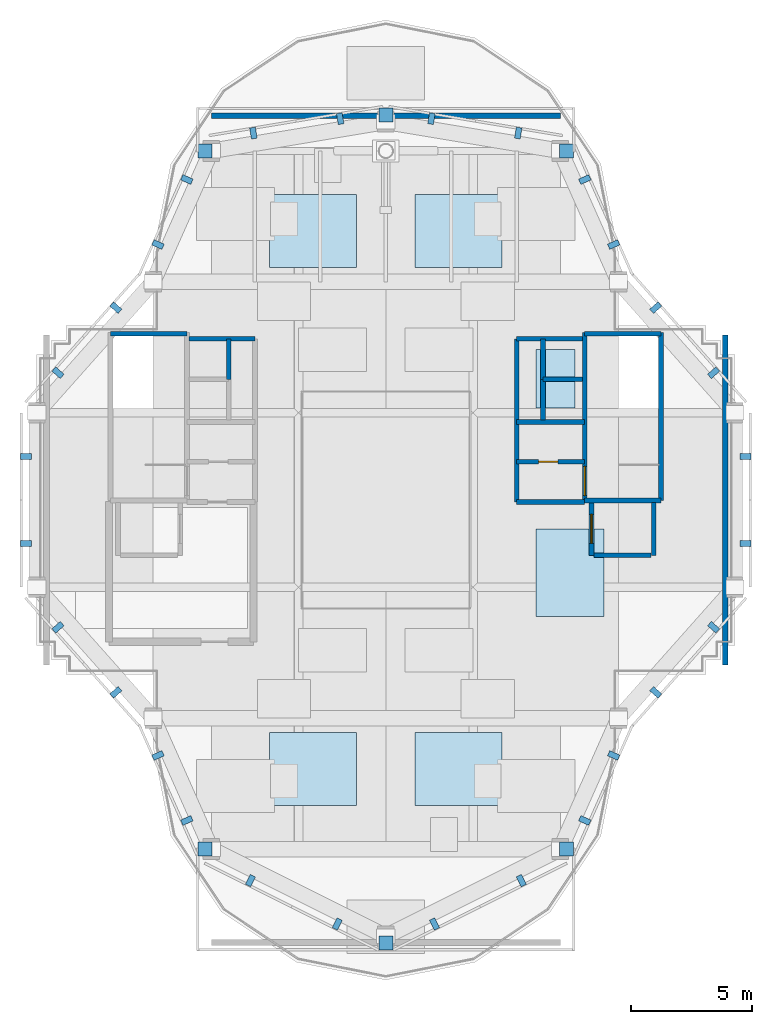
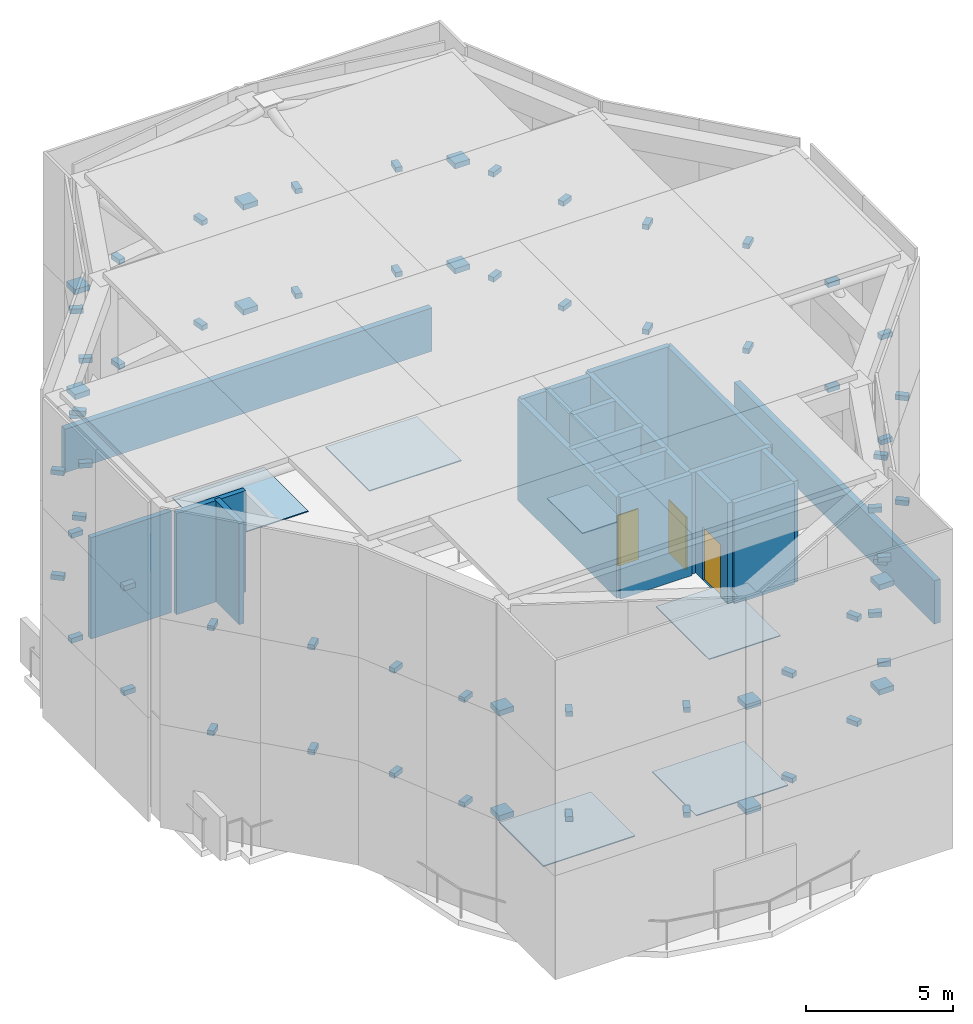
# One storey, part 5 of 8: 68 discrete accessories, 20 walls, 6 roofs, 3 doors, 3 openings.
"""IFC4 building model written with IfcOpenShell, lengths in metres."""

import ifcopenshell
import ifcopenshell.guid

model = None  # the IFC model being written
_history = None  # IfcOwnerHistory: only IFC2X3 demands one
_inside = {}  # id of a spatial element -> (the spatial element, [elements in it])
_under = {}  # id of a project, library or spatial element -> (it, [spatial elements below it])
_declared = {}  # id of a project -> (the project, [libraries it declares])
_typed = {}  # id of a type object -> (the type object, [elements of that type])
_made_of = {}  # id of a material, layer set ... -> (it, [elements and type objects made of it])


def new_model(schema):
    """Start an empty IFC model of exactly this schema.

    Asked for "IFC4X3", IfcOpenShell would pick the latest addendum, in which some entities
    have other attributes; the version numbers below select the first issue.
    IFC2X3 requires an IfcOwnerHistory on every rooted entity: one is made here for all.
    """
    global model, _history
    if schema == "IFC4X3":
        model = ifcopenshell.file(schema_version=(4, 3, 0, 0))
    else:
        model = ifcopenshell.file(schema=schema)
    _inside.clear()
    _under.clear()
    _declared.clear()
    _typed.clear()
    _made_of.clear()
    _history = None
    if model.schema == "IFC2X3":
        org = make("IfcOrganization", Name="unknown")
        user = make(
            "IfcPersonAndOrganization",
            ThePerson=make("IfcPerson", FamilyName="unknown"),
            TheOrganization=org,
        )
        app = make(
            "IfcApplication",
            ApplicationDeveloper=org,
            Version="unknown",
            ApplicationFullName="unknown",
            ApplicationIdentifier="unknown",
        )
        _history = make(
            "IfcOwnerHistory",
            OwningUser=user,
            OwningApplication=app,
            ChangeAction="ADDED",
            CreationDate=0,
        )
    return model


def make(cls, **values):
    """One entity of the class cls with the attributes given. An attribute that is None is left unset."""
    return model.create_entity(
        cls, **{name: value for name, value in values.items() if value is not None}
    )


def rooted(cls, **values):
    """An entity with a GlobalId (a new one), such as an element, a storey or a relation."""
    return make(cls, GlobalId=ifcopenshell.guid.new(), OwnerHistory=_history, **values)


def si_unit(unit_type, name, prefix=None):
    """IfcSIUnit, for example si_unit("LENGTHUNIT", "METRE", prefix="MILLI")."""
    return make("IfcSIUnit", UnitType=unit_type, Prefix=prefix, Name=name)


def assignment(units):
    """IfcUnitAssignment: the units of a project."""
    return None if units is None else make("IfcUnitAssignment", Units=units)


def point(xyz):
    """IfcCartesianPoint."""
    return None if xyz is None else make("IfcCartesianPoint", Coordinates=xyz)


def direction(xyz):
    """IfcDirection."""
    return None if xyz is None else make("IfcDirection", DirectionRatios=xyz)


def frame(location, z_axis=None, x_axis=None):
    """IfcAxis2Placement3D, a coordinate frame: its origin and axes. An axis left out is left unset."""
    return make(
        "IfcAxis2Placement3D",
        Location=point(location),
        Axis=direction(z_axis),
        RefDirection=direction(x_axis),
    )


def frame_2d(location, x_axis=None):
    """IfcAxis2Placement2D, a coordinate frame in the plane: its origin and x axis."""
    return make(
        "IfcAxis2Placement2D", Location=point(location), RefDirection=direction(x_axis)
    )


def origin():
    """The frame at (0, 0, 0) with its axes left unset."""
    return frame((0.0, 0.0, 0.0))


def origin_2d():
    """The frame at (0, 0) in the plane with its x axis left unset."""
    return frame_2d((0.0, 0.0))


def place(relative_to, where):
    """IfcLocalPlacement: puts the frame where relative to a parent placement (None: the world)."""
    return make(
        "IfcLocalPlacement", PlacementRelTo=relative_to, RelativePlacement=where
    )


def context(
    kind, dimensions, precision=None, world=None, true_north=None, identifier=None
):
    """IfcGeometricRepresentationContext, for example the 3D "Model" context."""
    return make(
        "IfcGeometricRepresentationContext",
        ContextIdentifier=identifier,
        ContextType=kind,
        CoordinateSpaceDimension=dimensions,
        Precision=precision,
        WorldCoordinateSystem=world,
        TrueNorth=true_north,
    )


def subcontext(parent, identifier, kind, view, scale=None):
    """IfcGeometricRepresentationSubContext, for example "Body" below "Model"."""
    return make(
        "IfcGeometricRepresentationSubContext",
        ContextIdentifier=identifier,
        ContextType=kind,
        ParentContext=parent,
        TargetScale=scale,
        TargetView=view,
    )


def project(units=None, contexts=None):
    """IfcProject with its units and contexts."""
    return rooted(
        "IfcProject",
        Name="project",
        RepresentationContexts=contexts,
        UnitsInContext=assignment(units),
    )


def spatial(cls, under=None, at=None, **own):
    """A site, building, storey or space (cls), placed at a placement, below another one or the project."""
    s = rooted(cls, ObjectPlacement=at, **own)
    if under is not None:
        _under.setdefault(under.id(), (under, []))[1].append(s)
    return s


def polyline(points):
    """IfcPolyline through the points."""
    return make("IfcPolyline", Points=[point(p) for p in points])


def profile(cls, at=None, kind="AREA", **sizes):
    """A parametric profile (cls). Its sizes go by their IFC names, for example OverallWidth=200.0."""
    return make(cls, ProfileType=kind, Position=at, **sizes)


def rectangle(**sizes):
    """IfcRectangleProfileDef."""
    return profile("IfcRectangleProfileDef", **sizes)


def outline(outer, holes=None, kind="AREA"):
    """IfcArbitraryClosedProfileDef: a profile drawn as a closed curve; with holes, ...WithVoids."""
    if holes is None:
        return make("IfcArbitraryClosedProfileDef", ProfileType=kind, OuterCurve=outer)
    return make(
        "IfcArbitraryProfileDefWithVoids",
        ProfileType=kind,
        OuterCurve=outer,
        InnerCurves=holes,
    )


def extrude(swept, where, along, depth):
    """IfcExtrudedAreaSolid: the profile swept, set in the frame where, extruded along a direction by depth."""
    return make(
        "IfcExtrudedAreaSolid",
        SweptArea=swept,
        Position=where,
        ExtrudedDirection=direction(along),
        Depth=depth,
    )


def shape(context_of_items, identifier, shape_type, items):
    """IfcShapeRepresentation: the items that make up one representation, for example the "Body"."""
    return make(
        "IfcShapeRepresentation",
        ContextOfItems=context_of_items,
        RepresentationIdentifier=identifier,
        RepresentationType=shape_type,
        Items=items,
    )


def source(mapping_origin, context_of_items, identifier, shape_type, items):
    """IfcRepresentationMap: a shape defined once, which mapped items show again and again."""
    return make(
        "IfcRepresentationMap",
        MappingOrigin=mapping_origin,
        MappedRepresentation=shape(context_of_items, identifier, shape_type, items),
    )


def transform(
    local_origin,
    x_axis=None,
    y_axis=None,
    z_axis=None,
    scale=None,
    scale2=None,
    scale3=None,
    uniform=True,
):
    """IfcCartesianTransformationOperator3D, or its non-uniform kind. x_axis, y_axis, z_axis: its Axis1, 2, 3."""
    if uniform:
        return make(
            "IfcCartesianTransformationOperator3D",
            Axis1=direction(x_axis),
            Axis2=direction(y_axis),
            LocalOrigin=point(local_origin),
            Scale=scale,
            Axis3=direction(z_axis),
        )
    return make(
        "IfcCartesianTransformationOperator3DnonUniform",
        Axis1=direction(x_axis),
        Axis2=direction(y_axis),
        LocalOrigin=point(local_origin),
        Scale=scale,
        Axis3=direction(z_axis),
        Scale2=scale2,
        Scale3=scale3,
    )


def mapped(mapping_source, mapping_target):
    """IfcMappedItem: shows the shape of a source again, moved by a transform."""
    return make(
        "IfcMappedItem", MappingSource=mapping_source, MappingTarget=mapping_target
    )


def material(Name=None, Category=None):
    """IfcMaterial."""
    return make("IfcMaterial", Name=Name, Category=Category)


def layer(
    of_material, thickness, ventilated=None, Name=None, Category=None, Priority=None
):
    """IfcMaterialLayer: one layer of a wall or slab, of a material (None: an air gap)."""
    return make(
        "IfcMaterialLayer",
        Material=of_material,
        LayerThickness=thickness,
        IsVentilated=ventilated,
        Name=Name,
        Category=Category,
        Priority=Priority,
    )


def layer_set(layers, Name=None):
    """IfcMaterialLayerSet."""
    return make("IfcMaterialLayerSet", MaterialLayers=layers, LayerSetName=Name)


def made_of(thing, what):
    """Note that an element or type object is made of a material, layer set ...; save() writes the relation."""
    if what is not None:
        _made_of.setdefault(what.id(), (what, []))[1].append(thing)
    return thing


def type_object(cls, material=None, **own):
    """A type object (cls), such as IfcWallType, which elements share."""
    return made_of(rooted(cls, **own), material)


def element(
    cls,
    number,
    at=None,
    inside=None,
    cuts=None,
    type_object=None,
    material=None,
    context=None,
    identifier="Body",
    shape_type=None,
    held_by="IfcProductDefinitionShape",
    body=None,
    shapes=None,
    **own,
):
    """One element of the class cls, such as IfcWall. Its Tag is "e" and its number.

    at: its placement. inside: the storey or other place that contains it. cuts: it is an
    opening in that element (IfcRelVoidsElement). A single representation is given by context,
    identifier, shape_type and body (its items); several are given by shapes. held_by: the class
    of the entity that holds the representations. save() writes the other relations.
    """
    e = rooted(cls, Tag="e%d" % number, ObjectPlacement=at, **own)
    if body is not None:
        shapes = [shape(context, identifier, shape_type, body)]
    if shapes is not None:
        e.Representation = make(held_by, Representations=shapes)
    if inside is not None:
        _inside.setdefault(inside.id(), (inside, []))[1].append(e)
    if cuts is not None:
        rooted(
            "IfcRelVoidsElement", RelatingBuildingElement=cuts, RelatedOpeningElement=e
        )
    if type_object is not None:
        _typed.setdefault(type_object.id(), (type_object, []))[1].append(e)
    return made_of(e, material)


def fill(opening, filler):
    """IfcRelFillsElement: the door or window that sits in an opening."""
    return rooted(
        "IfcRelFillsElement",
        RelatingOpeningElement=opening,
        RelatedBuildingElement=filler,
    )


def aggregate(whole, parts):
    """IfcRelAggregates: a whole, such as a stair, and the parts it consists of."""
    return rooted("IfcRelAggregates", RelatingObject=whole, RelatedObjects=parts)


def save(model, path):
    """Write the relations noted so far, then the file.

    IfcRelAggregates (storeys below a building ...), IfcRelContainedInSpatialStructure (elements
    in a storey), IfcRelDefinesByType, IfcRelAssociatesMaterial and IfcRelDeclares: one each for
    every whole, place, type object, material and project.
    """
    for whole, parts in _under.values():
        aggregate(whole, parts)
    for where, things in _inside.values():
        rooted(
            "IfcRelContainedInSpatialStructure",
            RelatedElements=things,
            RelatingStructure=where,
        )
    for kind, things in _typed.values():
        rooted("IfcRelDefinesByType", RelatedObjects=things, RelatingType=kind)
    for what, things in _made_of.values():
        rooted("IfcRelAssociatesMaterial", RelatedObjects=things, RelatingMaterial=what)
    for by, libraries in _declared.values():
        rooted("IfcRelDeclares", RelatingContext=by, RelatedDefinitions=libraries)
    model.write(path)


model = new_model("IFC4")

# Units and contexts
model_context = context("Model", 3, precision=1e-05, world=origin(), true_north=direction((0.0, 1.0)))
body_context = subcontext(model_context, "Body", "Model", "MODEL_VIEW")
ifc_project = project(units=[si_unit("LENGTHUNIT", "METRE"), si_unit("AREAUNIT", "SQUARE_METRE"), si_unit("VOLUMEUNIT", "CUBIC_METRE"), si_unit("PLANEANGLEUNIT", "RADIAN"), si_unit("MASSUNIT", "GRAM", prefix="KILO")], contexts=[model_context])

# Site, building, storey
site_placement = place(None, origin())
site = spatial("IfcSite", under=ifc_project, at=site_placement, CompositionType="ELEMENT")
building_placement = place(site_placement, origin())
building = spatial("IfcBuilding", under=site, at=building_placement, Name="Keilestroom Media Tower", CompositionType="ELEMENT")
storey_placement = place(building_placement, frame((0.0, 0.0, 271.60009765625)))
storey = spatial("IfcBuildingStorey", under=building, at=storey_placement, Name="Roof", CompositionType="ELEMENT", Elevation=271.60009765625)

# Walls
ifc_material_1 = material(Name="Concrete C50/60", Category="concrete")
ifc_layer_1 = layer(ifc_material_1, 0.199951171875)
ifc_layer_set_1 = layer_set([ifc_layer_1], Name="Concrete C50/60")
wall_type_1 = type_object("IfcWallType", Name="Reinforced-Concrete-Shaft-Wall-200", PredefinedType="SOLIDWALL", material=ifc_layer_set_1)
wall_1_placement = place(storey_placement, frame((-11.35595703125, 6.85595703125, 0.0), z_axis=(0.0, 0.0, 1.0), x_axis=(1.0, 0.0, 0.0)))
element("IfcWall", 1, at=wall_1_placement, inside=storey, type_object=wall_type_1, Name="Roof Core Shear Wall WL-Roof-STW-W-N", PredefinedType="SOLIDWALL", context=body_context, shape_type="SweptSolid", body=[
    extrude(rectangle(XDim=3.15185546875, YDim=0.199951171875, at=frame_2d((1.575927734375, 0.0))), origin(), (0.0, 0.0, 1.0), 4.199951171875),
])
wall_2_placement = place(storey_placement, frame((5.39990234375, -0.080078125, 0.0), z_axis=(0.0, 0.0, 1.0), x_axis=(0.0, 1.0, 0.0)))
element("IfcWall", 2, at=wall_2_placement, inside=storey, type_object=wall_type_1, Name="Roof Core Shear Wall WL-Roof-LMR-E-IN", PredefinedType="SOLIDWALL", context=body_context, shape_type="SweptSolid", body=[
    extrude(rectangle(XDim=6.72998046875, YDim=0.199951171875, at=frame_2d((3.364990234375, 0.0))), origin(), (0.0, 0.0, 1.0), 4.199951171875),
])
wall_3_placement = place(storey_placement, frame((5.39990234375, -0.080078125, 0.0), z_axis=(0.0, 0.0, 1.0), x_axis=(1.0, 0.0, 0.0)))
element("IfcWall", 3, at=wall_3_placement, inside=storey, type_object=wall_type_1, Name="Roof Core Shear Wall WL-Roof-LMR-E-S", PredefinedType="SOLIDWALL", context=body_context, shape_type="SweptSolid", body=[
    extrude(rectangle(XDim=2.80419921875, YDim=0.199951171875, at=frame_2d((1.402099609375, 0.0))), origin(), (0.0, 0.0, 1.0), 4.199951171875),
])

# Wall, opening, door
wall_4_placement = place(storey_placement, frame((5.39990234375, 1.580078125, 0.0), z_axis=(0.0, 0.0, 1.0), x_axis=(1.0, 0.0, 0.0)))
wall_4 = element("IfcWall", 4, at=wall_4_placement, inside=storey, type_object=wall_type_1, Name="Roof Interior Wall WL-Roof-LMR-E-M", PredefinedType="SOLIDWALL", context=body_context, shape_type="SweptSolid", body=[
    extrude(rectangle(XDim=2.80419921875, YDim=0.199951171875, at=frame_2d((1.402099609375, 0.0))), origin(), (0.0, 0.0, 1.0), 4.199951171875),
])
opening_1_placement = place(wall_4_placement, frame((0.89990234375, 0.0, 0.0)))
opening_1 = element("IfcOpeningElement", 5, at=opening_1_placement, cuts=wall_4, Name="Opening DI-06", PredefinedType="OPENING", context=body_context, shape_type="SweptSolid", body=[
    extrude(rectangle(XDim=0.800048828125, YDim=2.10009765625, at=frame_2d((0.39990234375, 1.050048828125))), frame((0.0, 0.10986328125, 0.0), z_axis=(0.0, -1.0, 0.0), x_axis=(1.0, 0.0, 0.0)), (0.0, 0.0, 1.0), 0.219970703125),
])
ifc_material_2 = material(Name="Powder-Coated Steel Service Leaf", Category="steel")
door_type_1 = type_object("IfcDoorType", Name="Interior-Riser-Access-Door-DI-06", OperationType="NOTDEFINED", PredefinedType="DOOR", material=ifc_material_2)
shared_shape_1 = source(origin(), body_context, "Body", "SweptSolid", [
    extrude(rectangle(XDim=0.800048828125, YDim=2.10009765625, at=frame_2d((0.39990234375, 1.050048828125))), frame((0.0, 0.02490234375, 0.0), z_axis=(0.0, -1.0, 0.0), x_axis=(1.0, 0.0, 0.0)), (0.0, 0.0, 1.0), 0.050048828125),
])
door_1_placement = place(opening_1_placement, origin())
door_1 = element("IfcDoor", 6, at=door_1_placement, inside=storey, type_object=door_type_1, Name="Roof East Lift Machine Room Door", OperationType="SINGLE_SWING_RIGHT", OverallHeight=2.10009765625, OverallWidth=0.800048828125, PredefinedType="DOOR", context=body_context, shape_type="MappedRepresentation", body=[
    mapped(shared_shape_1, transform((0.0, 0.0, 0.0), x_axis=(1.0, 0.0, 0.0), y_axis=(0.0, 1.0, 0.0), z_axis=(0.0, 0.0, 1.0), scale=1.0)),
])
fill(opening_1, door_1)

# Wall
wall_5_placement = place(storey_placement, frame((5.39990234375, 3.219970703125, 0.0), z_axis=(0.0, 0.0, 1.0), x_axis=(1.0, 0.0, 0.0)))
element("IfcWall", 7, at=wall_5_placement, inside=storey, type_object=wall_type_1, Name="Roof Core Shear Wall WL-Roof-LMR-E-N", PredefinedType="SOLIDWALL", context=body_context, shape_type="SweptSolid", body=[
    extrude(rectangle(XDim=2.80419921875, YDim=0.199951171875, at=frame_2d((1.402099609375, 0.0))), origin(), (0.0, 0.0, 1.0), 4.199951171875),
])

# Wall, opening, door
wall_6_placement = place(storey_placement, frame((8.2041015625, -0.01611328125, 0.0), z_axis=(0.0, 0.0, 1.0), x_axis=(0.0, 1.0, 0.0)))
wall_6 = element("IfcWall", 8, at=wall_6_placement, inside=storey, type_object=wall_type_1, Name="Roof Core Shear Wall WL-Roof-STW-E-NEAR", PredefinedType="SOLIDWALL", context=body_context, shape_type="SweptSolid", body=[
    extrude(rectangle(XDim=6.916015625, YDim=0.199951171875, at=frame_2d((3.4580078125, 0.0))), origin(), (0.0, 0.0, 1.0), 4.199951171875),
])
opening_2_placement = place(wall_6_placement, frame((0.199951171875, 0.0, 0.0)))
opening_2 = element("IfcOpeningElement", 9, at=opening_2_placement, cuts=wall_6, Name="Opening DI-01S", PredefinedType="OPENING", context=body_context, shape_type="SweptSolid", body=[
    extrude(rectangle(XDim=1.199951171875, YDim=2.199951171875, at=frame_2d((0.60009765625, 1.10009765625))), frame((0.0, 0.10986328125, 0.0), z_axis=(0.0, -1.0, 0.0), x_axis=(1.0, 0.0, 0.0)), (0.0, 0.0, 1.0), 0.219970703125),
])
ifc_material_3 = material(Name="Powder-Coated Steel Fire Leaf", Category="steel")
door_type_2 = type_object("IfcDoorType", Name="Interior-Stair-And-Core-Fire-Door-DI-01", OperationType="NOTDEFINED", PredefinedType="DOOR", material=ifc_material_3)
shared_shape_2 = source(origin(), body_context, "Body", "SweptSolid", [
    extrude(rectangle(XDim=1.199951171875, YDim=2.199951171875, at=frame_2d((0.60009765625, 1.10009765625))), frame((0.0, 0.02490234375, 0.0), z_axis=(0.0, -1.0, 0.0), x_axis=(1.0, 0.0, 0.0)), (0.0, 0.0, 1.0), 0.050048828125),
])
door_2_placement = place(opening_2_placement, origin())
door_2 = element("IfcDoor", 10, at=door_2_placement, inside=storey, type_object=door_type_2, Name="Roof Escape Stair ST-2 Fire Door", OperationType="SINGLE_SWING_RIGHT", OverallHeight=2.199951171875, OverallWidth=1.199951171875, PredefinedType="DOOR", context=body_context, shape_type="MappedRepresentation", body=[
    mapped(shared_shape_2, transform((0.0, 0.0, 0.0), x_axis=(1.0, 0.0, 0.0), y_axis=(0.0, 1.0, 0.0), z_axis=(0.0, 0.0, 1.0), scale=1.0)),
])
fill(opening_2, door_2)

# Walls
wall_7_placement = place(storey_placement, frame((11.35595703125, -0.01611328125, 0.0), z_axis=(0.0, 0.0, 1.0), x_axis=(0.0, 1.0, 0.0)))
element("IfcWall", 11, at=wall_7_placement, inside=storey, type_object=wall_type_1, Name="Roof Core Shear Wall WL-Roof-STW-E-FAR", PredefinedType="SOLIDWALL", context=body_context, shape_type="SweptSolid", body=[
    extrude(rectangle(XDim=6.916015625, YDim=0.199951171875, at=frame_2d((3.4580078125, 0.0))), origin(), (0.0, 0.0, 1.0), 4.199951171875),
])
for number, where, z_axis, x_axis, name in (
    (12, (8.2041015625, -0.01611328125, 0.0), (0.0, 0.0, 1.0), (1.0, 0.0, 0.0), "Roof Core Shear Wall WL-Roof-STW-E-S"),
    (13, (8.2041015625, 6.85595703125, 0.0), (0.0, 0.0, 1.0), (1.0, 0.0, 0.0), "Roof Core Shear Wall WL-Roof-STW-E-N"),
):
    element("IfcWall", number, at=place(storey_placement, frame(where, z_axis=z_axis, x_axis=x_axis)), inside=storey, type_object=wall_type_1, Name=name, PredefinedType="SOLIDWALL", context=body_context, shape_type="SweptSolid", body=[
        extrude(rectangle(XDim=3.15185546875, YDim=0.199951171875, at=frame_2d((1.575927734375, 0.0))), origin(), (0.0, 0.0, 1.0), 4.199951171875),
    ])

# Wall, opening, door
wall_8_placement = place(storey_placement, frame((8.47998046875, -2.280029296875, 0.0), z_axis=(0.0, 0.0, 1.0), x_axis=(0.0, 1.0, 0.0)))
wall_8 = element("IfcWall", 14, at=wall_8_placement, inside=storey, type_object=wall_type_1, Name="Roof Core Shear Wall WL-Roof-LSH-FFL-2-W", PredefinedType="SOLIDWALL", context=body_context, shape_type="SweptSolid", body=[
    extrude(rectangle(XDim=2.179931640625, YDim=0.199951171875, at=frame_2d((1.08984375, 0.0))), origin(), (0.0, 0.0, 1.0), 4.199951171875),
])
opening_3_placement = place(wall_8_placement, frame((0.489990234375, 0.0, 0.0)))
opening_3 = element("IfcOpeningElement", 15, at=opening_3_placement, cuts=wall_8, Name="Opening LD-02", PredefinedType="OPENING", context=body_context, shape_type="SweptSolid", body=[
    extrude(rectangle(XDim=1.199951171875, YDim=2.199951171875, at=frame_2d((0.60009765625, 1.10009765625))), frame((0.0, 0.10986328125, 0.0), z_axis=(0.0, -1.0, 0.0), x_axis=(1.0, 0.0, 0.0)), (0.0, 0.0, 1.0), 0.219970703125),
])
ifc_material_4 = material(Name="Brushed Stainless Steel Sliding Leaf", Category="steel")
door_type_3 = type_object("IfcDoorType", Name="Lift-Landing-Sliding-Door-LD-02", OperationType="SLIDING_TO_RIGHT", PredefinedType="DOOR", material=ifc_material_4)
door_3_placement = place(opening_3_placement, origin())
door_3 = element("IfcDoor", 16, at=door_3_placement, inside=storey, type_object=door_type_3, Name="Roof Lift FFL-2 Landing Sliding Door", OperationType="SLIDING_TO_RIGHT", OverallHeight=2.199951171875, OverallWidth=1.199951171875, PredefinedType="DOOR", context=body_context, shape_type="MappedRepresentation", body=[
    mapped(shared_shape_2, transform((0.0, 0.0, 0.0), x_axis=(1.0, 0.0, 0.0), y_axis=(0.0, 1.0, 0.0), z_axis=(0.0, 0.0, 1.0), scale=1.0)),
])
fill(opening_3, door_3)

# Walls
wall_9_placement = place(storey_placement, frame((11.050048828125, -2.280029296875, 0.0), z_axis=(0.0, 0.0, 1.0), x_axis=(0.0, 1.0, 0.0)))
element("IfcWall", 17, at=wall_9_placement, inside=storey, type_object=wall_type_1, Name="Roof Core Shear Wall WL-Roof-LSH-FFL-2-E", PredefinedType="SOLIDWALL", context=body_context, shape_type="SweptSolid", body=[
    extrude(rectangle(XDim=2.179931640625, YDim=0.199951171875, at=frame_2d((1.08984375, 0.0))), origin(), (0.0, 0.0, 1.0), 4.199951171875),
])
wall_10_placement = place(storey_placement, frame((8.583984375, -2.280029296875, 0.0), z_axis=(0.0, 0.0, 1.0), x_axis=(1.0, 0.0, 0.0)))
element("IfcWall", 18, at=wall_10_placement, inside=storey, type_object=wall_type_1, Name="Roof Core Shear Wall WL-Roof-LSH-FFL-2-S", PredefinedType="SOLIDWALL", context=body_context, shape_type="SweptSolid", body=[
    extrude(rectangle(XDim=2.362060546875, YDim=0.199951171875, at=frame_2d((1.18115234375, 0.0))), origin(), (0.0, 0.0, 1.0), 4.199951171875),
])
wall_11_placement = place(storey_placement, frame((-6.47998046875, 4.97998046875, 0.0), z_axis=(0.0, 0.0, 1.0), x_axis=(0.0, 1.0, 0.0)))
element("IfcWall", 19, at=wall_11_placement, inside=storey, type_object=wall_type_1, Name="Roof Core Shear Wall WL-Roof-LSH-PL-H2-E", PredefinedType="SOLIDWALL", context=body_context, shape_type="SweptSolid", body=[
    extrude(rectangle(XDim=1.669921875, YDim=0.199951171875, at=frame_2d((0.8349609375, 0.0))), origin(), (0.0, 0.0, 1.0), 4.199951171875),
])
wall_12_placement = place(storey_placement, frame((-8.1201171875, 6.64990234375, 0.0), z_axis=(0.0, 0.0, 1.0), x_axis=(1.0, 0.0, 0.0)))
element("IfcWall", 20, at=wall_12_placement, inside=storey, type_object=wall_type_1, Name="Roof Core Shear Wall WL-Roof-LSH-PL-H2-N", PredefinedType="SOLIDWALL", context=body_context, shape_type="SweptSolid", body=[
    extrude(rectangle(XDim=2.72021484375, YDim=0.199951171875, at=frame_2d((1.360107421875, 0.0))), origin(), (0.0, 0.0, 1.0), 4.199951171875),
])
wall_13_placement = place(storey_placement, frame((6.47998046875, 3.300048828125, 0.0), z_axis=(0.0, 0.0, 1.0), x_axis=(0.0, 1.0, 0.0)))
element("IfcWall", 21, at=wall_13_placement, inside=storey, type_object=wall_type_1, Name="Roof Core Shear Wall WL-Roof-LSH-PL-H3-W", PredefinedType="SOLIDWALL", context=body_context, shape_type="SweptSolid", body=[
    extrude(rectangle(XDim=1.679931640625, YDim=0.199951171875, at=frame_2d((0.83984375, 0.0))), origin(), (0.0, 0.0, 1.0), 4.199951171875),
])
wall_14_placement = place(storey_placement, frame((6.47998046875, 4.97998046875, 0.0), z_axis=(0.0, 0.0, 1.0), x_axis=(1.0, 0.0, 0.0)))
element("IfcWall", 22, at=wall_14_placement, inside=storey, type_object=wall_type_1, Name="Roof Core Shear Wall WL-Roof-LSH-PL-H3-N", PredefinedType="SOLIDWALL", context=body_context, shape_type="SweptSolid", body=[
    extrude(rectangle(XDim=1.64013671875, YDim=0.199951171875, at=frame_2d((0.820068359375, 0.0))), origin(), (0.0, 0.0, 1.0), 4.199951171875),
])
wall_15_placement = place(storey_placement, frame((6.47998046875, 4.97998046875, 0.0), z_axis=(0.0, 0.0, 1.0), x_axis=(0.0, 1.0, 0.0)))
element("IfcWall", 23, at=wall_15_placement, inside=storey, type_object=wall_type_1, Name="Roof Core Shear Wall WL-Roof-LSH-PL-H4-W", PredefinedType="SOLIDWALL", context=body_context, shape_type="SweptSolid", body=[
    extrude(rectangle(XDim=1.669921875, YDim=0.199951171875, at=frame_2d((0.8349609375, 0.0))), origin(), (0.0, 0.0, 1.0), 4.199951171875),
])
wall_16_placement = place(storey_placement, frame((5.39990234375, 6.64990234375, 0.0), z_axis=(0.0, 0.0, 1.0), x_axis=(1.0, 0.0, 0.0)))
element("IfcWall", 24, at=wall_16_placement, inside=storey, type_object=wall_type_1, Name="Roof Core Shear Wall WL-Roof-LSH-PL-H4-N", PredefinedType="SOLIDWALL", context=body_context, shape_type="SweptSolid", body=[
    extrude(rectangle(XDim=2.72021484375, YDim=0.199951171875, at=frame_2d((1.360107421875, 0.0))), origin(), (0.0, 0.0, 1.0), 4.199951171875),
])
ifc_material_5 = material(Name="Precast concrete C40/50", Category="concrete")
ifc_layer_2 = layer(ifc_material_5, 0.239990234375)
ifc_layer_set_2 = layer_set([ifc_layer_2], Name="Precast concrete C40/50")
wall_type_2 = type_object("IfcWallType", Name="Roof-And-Terrace-Parapet-Wall-240", PredefinedType="PARAPET", material=ifc_layer_set_2)
wall_17_placement = place(storey_placement, frame((14.0, -6.800048828125, 0.0), z_axis=(0.0, 0.0, 1.0), x_axis=(0.0, 1.0, 0.0)))
element("IfcWall", 25, at=wall_17_placement, inside=storey, type_object=wall_type_2, Name="Roof Acoustic Parapet Wall E", PredefinedType="PARAPET", context=body_context, shape_type="SweptSolid", body=[
    extrude(rectangle(XDim=13.60009765625, YDim=0.239990234375, at=frame_2d((6.800048828125, 0.0))), origin(), (0.0, 0.0, 1.0), 1.7998046875),
])
wall_18_placement = place(storey_placement, frame((-7.199951171875, 15.85009765625, 0.0), z_axis=(0.0, 0.0, 1.0), x_axis=(1.0, 0.0, 0.0)))
element("IfcWall", 26, at=wall_18_placement, inside=storey, type_object=wall_type_2, Name="Roof Acoustic Parapet Wall NW", PredefinedType="PARAPET", context=body_context, shape_type="SweptSolid", body=[
    extrude(rectangle(XDim=14.39990234375, YDim=0.239990234375, at=frame_2d((7.199951171875, 0.0))), origin(), (0.0, 0.0, 1.0), 1.7998046875),
])

# Roofs
ifc_material_6 = material(Name="Concrete C45/55", Category="concrete")
ifc_layer_3 = layer(ifc_material_6, 0.0400390625)
ifc_layer_set_3 = layer_set([ifc_layer_3], Name="Concrete C45/55")
roof_type = type_object("IfcRoofType", Name="Flat-Weatherproofed-Roof-Cap-40", PredefinedType="FLAT_ROOF", material=ifc_layer_set_3)
roof_1_placement = place(storey_placement, origin())
element("IfcRoof", 27, at=roof_1_placement, inside=storey, type_object=roof_type, Name="Main Roof Weatherproof Membrane Zone MEMB-NW", PredefinedType="FLAT_ROOF", context=body_context, shape_type="SweptSolid", body=[
    extrude(outline(polyline([(-4.800048828125, 9.60009765625), (-1.199951171875, 9.60009765625), (-1.199951171875, 12.60009765625), (-4.800048828125, 12.60009765625), (-4.800048828125, 9.60009765625)])), origin(), (0.0, 0.0, 1.0), 0.039794921875),
])
roof_2_placement = place(storey_placement, origin())
element("IfcRoof", 28, at=roof_2_placement, inside=storey, type_object=roof_type, Name="Main Roof Weatherproof Membrane Zone MEMB-NE", PredefinedType="FLAT_ROOF", context=body_context, shape_type="SweptSolid", body=[
    extrude(outline(polyline([(1.199951171875, 9.60009765625), (4.800048828125, 9.60009765625), (4.800048828125, 12.60009765625), (1.199951171875, 12.60009765625), (1.199951171875, 9.60009765625)])), origin(), (0.0, 0.0, 1.0), 0.039794921875),
])
roof_3_placement = place(storey_placement, origin())
element("IfcRoof", 29, at=roof_3_placement, inside=storey, type_object=roof_type, Name="Main Roof Weatherproof Membrane Zone MEMB-SW", PredefinedType="FLAT_ROOF", context=body_context, shape_type="SweptSolid", body=[
    extrude(outline(polyline([(-4.800048828125, -12.60009765625), (-1.199951171875, -12.60009765625), (-1.199951171875, -9.60009765625), (-4.800048828125, -9.60009765625), (-4.800048828125, -12.60009765625)])), origin(), (0.0, 0.0, 1.0), 0.039794921875),
])
roof_4_placement = place(storey_placement, origin())
element("IfcRoof", 30, at=roof_4_placement, inside=storey, type_object=roof_type, Name="Main Roof Weatherproof Membrane Zone MEMB-SE", PredefinedType="FLAT_ROOF", context=body_context, shape_type="SweptSolid", body=[
    extrude(outline(polyline([(1.199951171875, -12.60009765625), (4.800048828125, -12.60009765625), (4.800048828125, -9.60009765625), (1.199951171875, -9.60009765625), (1.199951171875, -12.60009765625)])), origin(), (0.0, 0.0, 1.0), 0.039794921875),
])
roof_5_placement = place(storey_placement, origin())
element("IfcRoof", 31, at=roof_5_placement, inside=storey, type_object=roof_type, Name="Main Roof Weatherproof Membrane Zone MEMB-SE1", PredefinedType="FLAT_ROOF", context=body_context, shape_type="SweptSolid", body=[
    extrude(outline(polyline([(6.199951171875, -4.800048828125), (9.0, -4.800048828125), (9.0, -1.199951171875), (6.199951171875, -1.199951171875), (6.199951171875, -4.800048828125)])), origin(), (0.0, 0.0, 1.0), 0.039794921875),
])
roof_6_placement = place(storey_placement, origin())
element("IfcRoof", 32, at=roof_6_placement, inside=storey, type_object=roof_type, Name="Main Roof Weatherproof Membrane Zone MEMB-NE1", PredefinedType="FLAT_ROOF", context=body_context, shape_type="SweptSolid", body=[
    extrude(outline(polyline([(6.199951171875, 3.800048828125), (7.800048828125, 3.800048828125), (7.800048828125, 6.199951171875), (6.199951171875, 6.199951171875), (6.199951171875, 3.800048828125)])), origin(), (0.0, 0.0, 1.0), 0.039794921875),
])

# Discrete accessories
ifc_material_7 = material(Name="Stainless Steel 1.4401", Category="steel")
discrete_accessory_type = type_object("IfcDiscreteAccessoryType", Name="Facade-Fin-Fixing-Bracket-BRK-1", PredefinedType="BRACKET", material=ifc_material_7)
shared_shape_3 = source(origin(), body_context, "Body", "SweptSolid", [
    extrude(rectangle(XDim=0.239990234375, YDim=0.4599609375, at=origin_2d()), origin(), (0.0, 0.0, 1.0), 0.199951171875),
])
for number, where, z_axis, x_axis, name in (
    (33, (-14.840087890625, -1.7900390625, 4.19970703125), (0.0, 0.0, 1.0), (0.0, 1.0, 0.0), "Crown Screen Fixing Bracket 01.1.275"),
    (34, (-14.840087890625, -1.7900390625, 8.5498046875), (0.0, 0.0, 1.0), (0.0, 1.0, 0.0), "Crown Screen Fixing Bracket 01.1.280"),
    (35, (-14.840087890625, 1.7900390625, 4.19970703125), (0.0, 0.0, 1.0), (0.0, 1.0, 0.0), "Crown Screen Fixing Bracket 01.2.275"),
    (36, (-14.840087890625, 1.7900390625, 8.5498046875), (0.0, 0.0, 1.0), (0.0, 1.0, 0.0), "Crown Screen Fixing Bracket 01.2.280"),
    (37, (-13.522216796875, 5.249755859375, 4.19970703125), (0.0, 0.0, 1.0), (0.664363325694, 0.747409774804, 0.0), "Crown Screen Fixing Bracket 02.1.275"),
    (38, (-13.522216796875, 5.249755859375, 8.5498046875), (0.0, 0.0, 1.0), (0.664363325694, 0.747409774804, 0.0), "Crown Screen Fixing Bracket 02.1.280"),
    (39, (-11.135498046875, 7.934814453125, 4.19970703125), (0.0, 0.0, 1.0), (0.664363325694, 0.747409774804, 0.0), "Crown Screen Fixing Bracket 02.2.275"),
    (40, (-11.135498046875, 7.934814453125, 8.5498046875), (0.0, 0.0, 1.0), (0.664363325694, 0.747409774804, 0.0), "Crown Screen Fixing Bracket 02.2.280"),
    (41, (-9.39794921875, 10.537841796875, 4.19970703125), (0.0, 0.0, 1.0), (0.406138641898, 0.913811470467, 0.0), "Crown Screen Fixing Bracket 03.1.275"),
    (42, (-9.39794921875, 10.537841796875, 8.5498046875), (0.0, 0.0, 1.0), (0.406138641898, 0.913811470467, 0.0), "Crown Screen Fixing Bracket 03.1.280"),
    (43, (-8.2060546875, 13.219482421875, 4.19970703125), (0.0, 0.0, 1.0), (0.406138641898, 0.913811470467, 0.0), "Crown Screen Fixing Bracket 03.2.275"),
    (44, (-8.2060546875, 13.219482421875, 8.5498046875), (0.0, 0.0, 1.0), (0.406138641898, 0.913811470467, 0.0), "Crown Screen Fixing Bracket 03.2.280"),
    (45, (-5.46240234375, 15.1357421875, 4.19970703125), (0.0, 0.0, 1.0), (0.986393987554, 0.164398604976, 0.0), "Crown Screen Fixing Bracket 04.1.275"),
    (46, (-5.46240234375, 15.1357421875, 8.5498046875), (0.0, 0.0, 1.0), (0.986393987554, 0.164398604976, 0.0), "Crown Screen Fixing Bracket 04.1.280"),
    (47, (-1.882080078125, 15.732421875, 4.19970703125), (0.0, 0.0, 1.0), (0.986393987554, 0.164398604976, 0.0), "Crown Screen Fixing Bracket 04.2.275"),
    (48, (-1.882080078125, 15.732421875, 8.5498046875), (0.0, 0.0, 1.0), (0.986393987554, 0.164398604976, 0.0), "Crown Screen Fixing Bracket 04.2.280"),
    (49, (1.882080078125, 15.732421875, 4.19970703125), (0.0, 0.0, 1.0), (0.986393987554, -0.164398604976, 0.0), "Crown Screen Fixing Bracket 05.1.275"),
    (50, (1.882080078125, 15.732421875, 8.5498046875), (0.0, 0.0, 1.0), (0.986393987554, -0.164398604976, 0.0), "Crown Screen Fixing Bracket 05.1.280"),
    (51, (5.46240234375, 15.1357421875, 4.19970703125), (0.0, 0.0, 1.0), (0.986393987554, -0.164398604976, 0.0), "Crown Screen Fixing Bracket 05.2.275"),
    (52, (5.46240234375, 15.1357421875, 8.5498046875), (0.0, 0.0, 1.0), (0.986393987554, -0.164398604976, 0.0), "Crown Screen Fixing Bracket 05.2.280"),
    (53, (8.2060546875, 13.219482421875, 4.19970703125), (0.0, 0.0, 1.0), (0.406138641898, -0.913811470467, 0.0), "Crown Screen Fixing Bracket 06.1.275"),
    (54, (8.2060546875, 13.219482421875, 8.5498046875), (0.0, 0.0, 1.0), (0.406138641898, -0.913811470467, 0.0), "Crown Screen Fixing Bracket 06.1.280"),
    (55, (9.39794921875, 10.537841796875, 4.19970703125), (0.0, 0.0, 1.0), (0.406138641898, -0.913811470467, 0.0), "Crown Screen Fixing Bracket 06.2.275"),
    (56, (9.39794921875, 10.537841796875, 8.5498046875), (0.0, 0.0, 1.0), (0.406138641898, -0.913811470467, 0.0), "Crown Screen Fixing Bracket 06.2.280"),
    (57, (11.135498046875, 7.934814453125, 4.19970703125), (0.0, 0.0, 1.0), (0.664363325694, -0.747409774804, 0.0), "Crown Screen Fixing Bracket 07.1.275"),
    (58, (11.135498046875, 7.934814453125, 8.5498046875), (0.0, 0.0, 1.0), (0.664363325694, -0.747409774804, 0.0), "Crown Screen Fixing Bracket 07.1.280"),
    (59, (13.522216796875, 5.249755859375, 4.19970703125), (0.0, 0.0, 1.0), (0.664363325694, -0.747409774804, 0.0), "Crown Screen Fixing Bracket 07.2.275"),
    (60, (13.522216796875, 5.249755859375, 8.5498046875), (0.0, 0.0, 1.0), (0.664363325694, -0.747409774804, 0.0), "Crown Screen Fixing Bracket 07.2.280"),
    (61, (14.840087890625, 1.7900390625, 4.19970703125), (0.0, 0.0, 1.0), (0.0, -1.0, 0.0), "Crown Screen Fixing Bracket 08.1.275"),
    (62, (14.840087890625, 1.7900390625, 8.5498046875), (0.0, 0.0, 1.0), (0.0, -1.0, 0.0), "Crown Screen Fixing Bracket 08.1.280"),
    (63, (14.840087890625, -1.7900390625, 4.19970703125), (0.0, 0.0, 1.0), (0.0, -1.0, 0.0), "Crown Screen Fixing Bracket 08.2.275"),
    (64, (14.840087890625, -1.7900390625, 8.5498046875), (0.0, 0.0, 1.0), (0.0, -1.0, 0.0), "Crown Screen Fixing Bracket 08.2.280"),
    (65, (13.522216796875, -5.249755859375, 4.19970703125), (0.0, 0.0, 1.0), (-0.664363325694, -0.747409774804, 0.0), "Crown Screen Fixing Bracket 09.1.275"),
    (66, (13.522216796875, -5.249755859375, 8.5498046875), (0.0, 0.0, 1.0), (-0.664363325694, -0.747409774804, 0.0), "Crown Screen Fixing Bracket 09.1.280"),
    (67, (11.135498046875, -7.934814453125, 4.19970703125), (0.0, 0.0, 1.0), (-0.664363325694, -0.747409774804, 0.0), "Crown Screen Fixing Bracket 09.2.275"),
    (68, (11.135498046875, -7.934814453125, 8.5498046875), (0.0, 0.0, 1.0), (-0.664363325694, -0.747409774804, 0.0), "Crown Screen Fixing Bracket 09.2.280"),
    (69, (9.39794921875, -10.537841796875, 4.19970703125), (0.0, 0.0, 1.0), (-0.406138641898, -0.913811470467, 0.0), "Crown Screen Fixing Bracket 10.1.275"),
    (70, (9.39794921875, -10.537841796875, 8.5498046875), (0.0, 0.0, 1.0), (-0.406138641898, -0.913811470467, 0.0), "Crown Screen Fixing Bracket 10.1.280"),
    (71, (8.2060546875, -13.219482421875, 4.19970703125), (0.0, 0.0, 1.0), (-0.406138641898, -0.913811470467, 0.0), "Crown Screen Fixing Bracket 10.2.275"),
    (72, (8.2060546875, -13.219482421875, 8.5498046875), (0.0, 0.0, 1.0), (-0.406138641898, -0.913811470467, 0.0), "Crown Screen Fixing Bracket 10.2.280"),
    (73, (5.587890625, -15.697998046875, 4.19970703125), (0.0, 0.0, 1.0), (-0.89442680992, -0.44721435766, 0.0), "Crown Screen Fixing Bracket 11.1.275"),
    (74, (5.587890625, -15.697998046875, 8.5498046875), (0.0, 0.0, 1.0), (-0.89442680992, -0.44721435766, 0.0), "Crown Screen Fixing Bracket 11.1.280"),
    (75, (2.005615234375, -17.489013671875, 4.19970703125), (0.0, 0.0, 1.0), (-0.89442680992, -0.44721435766, 0.0), "Crown Screen Fixing Bracket 11.2.275"),
    (76, (2.005615234375, -17.489013671875, 8.5498046875), (0.0, 0.0, 1.0), (-0.89442680992, -0.44721435766, 0.0), "Crown Screen Fixing Bracket 11.2.280"),
    (77, (-2.005615234375, -17.489013671875, 4.19970703125), (0.0, 0.0, 1.0), (-0.89442680992, 0.44721435766, 0.0), "Crown Screen Fixing Bracket 12.1.275"),
    (78, (-2.005615234375, -17.489013671875, 8.5498046875), (0.0, 0.0, 1.0), (-0.89442680992, 0.44721435766, 0.0), "Crown Screen Fixing Bracket 12.1.280"),
    (79, (-5.587890625, -15.697998046875, 4.19970703125), (0.0, 0.0, 1.0), (-0.89442680992, 0.44721435766, 0.0), "Crown Screen Fixing Bracket 12.2.275"),
    (80, (-5.587890625, -15.697998046875, 8.5498046875), (0.0, 0.0, 1.0), (-0.89442680992, 0.44721435766, 0.0), "Crown Screen Fixing Bracket 12.2.280"),
    (81, (-8.2060546875, -13.219482421875, 4.19970703125), (0.0, 0.0, 1.0), (-0.406138641898, 0.913811470467, 0.0), "Crown Screen Fixing Bracket 13.1.275"),
    (82, (-8.2060546875, -13.219482421875, 8.5498046875), (0.0, 0.0, 1.0), (-0.406138641898, 0.913811470467, 0.0), "Crown Screen Fixing Bracket 13.1.280"),
    (83, (-9.39794921875, -10.537841796875, 4.19970703125), (0.0, 0.0, 1.0), (-0.406138641898, 0.913811470467, 0.0), "Crown Screen Fixing Bracket 13.2.275"),
    (84, (-9.39794921875, -10.537841796875, 8.5498046875), (0.0, 0.0, 1.0), (-0.406138641898, 0.913811470467, 0.0), "Crown Screen Fixing Bracket 13.2.280"),
    (85, (-11.135498046875, -7.934814453125, 4.19970703125), (0.0, 0.0, 1.0), (-0.664363325694, 0.747409774804, 0.0), "Crown Screen Fixing Bracket 14.1.275"),
    (86, (-11.135498046875, -7.934814453125, 8.5498046875), (0.0, 0.0, 1.0), (-0.664363325694, 0.747409774804, 0.0), "Crown Screen Fixing Bracket 14.1.280"),
    (87, (-13.522216796875, -5.249755859375, 4.19970703125), (0.0, 0.0, 1.0), (-0.664363325694, 0.747409774804, 0.0), "Crown Screen Fixing Bracket 14.2.275"),
    (88, (-13.522216796875, -5.249755859375, 8.5498046875), (0.0, 0.0, 1.0), (-0.664363325694, 0.747409774804, 0.0), "Crown Screen Fixing Bracket 14.2.280"),
):
    element("IfcDiscreteAccessory", number, at=place(storey_placement, frame(where, z_axis=z_axis, x_axis=x_axis)), inside=storey, type_object=discrete_accessory_type, Name=name, PredefinedType="BRACKET", context=body_context, shape_type="MappedRepresentation", body=[
        mapped(shared_shape_3, transform((0.0, 0.0, 0.0), x_axis=(1.0, 0.0, 0.0), y_axis=(0.0, 1.0, 0.0), z_axis=(0.0, 0.0, 1.0), scale=1.0)),
    ])
shared_shape_4 = source(origin(), body_context, "Body", "SweptSolid", [
    extrude(rectangle(XDim=0.580078125, YDim=0.580078125, at=origin_2d()), origin(), (0.0, 0.0, 1.0), 0.219970703125),
])
for number, where, z_axis, x_axis, name in (
    (89, (-7.449951171875, 14.39990234375, 4.18994140625), (0.0, 0.0, 1.0), (1.0, 0.0, 0.0), "Crown Tip Screen Bracket 1.275"),
    (90, (-7.449951171875, 14.39990234375, 8.5400390625), (0.0, 0.0, 1.0), (1.0, 0.0, 0.0), "Crown Tip Screen Bracket 1.280"),
    (91, (7.449951171875, 14.39990234375, 4.18994140625), (0.0, 0.0, 1.0), (1.0, 0.0, 0.0), "Crown Tip Screen Bracket 2.275"),
    (92, (7.449951171875, 14.39990234375, 8.5400390625), (0.0, 0.0, 1.0), (1.0, 0.0, 0.0), "Crown Tip Screen Bracket 2.280"),
    (93, (-7.449951171875, -14.39990234375, 4.18994140625), (0.0, 0.0, 1.0), (1.0, 0.0, 0.0), "Crown Tip Screen Bracket 3.275"),
    (94, (-7.449951171875, -14.39990234375, 8.5400390625), (0.0, 0.0, 1.0), (1.0, 0.0, 0.0), "Crown Tip Screen Bracket 3.280"),
    (95, (7.449951171875, -14.39990234375, 4.18994140625), (0.0, 0.0, 1.0), (1.0, 0.0, 0.0), "Crown Tip Screen Bracket 4.275"),
    (96, (7.449951171875, -14.39990234375, 8.5400390625), (0.0, 0.0, 1.0), (1.0, 0.0, 0.0), "Crown Tip Screen Bracket 4.280"),
    (97, (0.0, 15.8798828125, 4.18994140625), (0.0, 0.0, 1.0), (1.0, 0.0, 0.0), "Crown Tip Screen Bracket 5.275"),
    (98, (0.0, 15.8798828125, 8.5400390625), (0.0, 0.0, 1.0), (1.0, 0.0, 0.0), "Crown Tip Screen Bracket 5.280"),
    (99, (0.0, -18.280029296875, 4.18994140625), (0.0, 0.0, 1.0), (1.0, 0.0, 0.0), "Crown Tip Screen Bracket 6.275"),
    (100, (0.0, -18.280029296875, 8.5400390625), (0.0, 0.0, 1.0), (1.0, 0.0, 0.0), "Crown Tip Screen Bracket 6.280"),
):
    element("IfcDiscreteAccessory", number, at=place(storey_placement, frame(where, z_axis=z_axis, x_axis=x_axis)), inside=storey, type_object=discrete_accessory_type, Name=name, PredefinedType="BRACKET", context=body_context, shape_type="MappedRepresentation", body=[
        mapped(shared_shape_4, transform((0.0, 0.0, 0.0), x_axis=(1.0, 0.0, 0.0), y_axis=(0.0, 1.0, 0.0), z_axis=(0.0, 0.0, 1.0), scale=1.0)),
    ])

save(model, "model.ifc")
